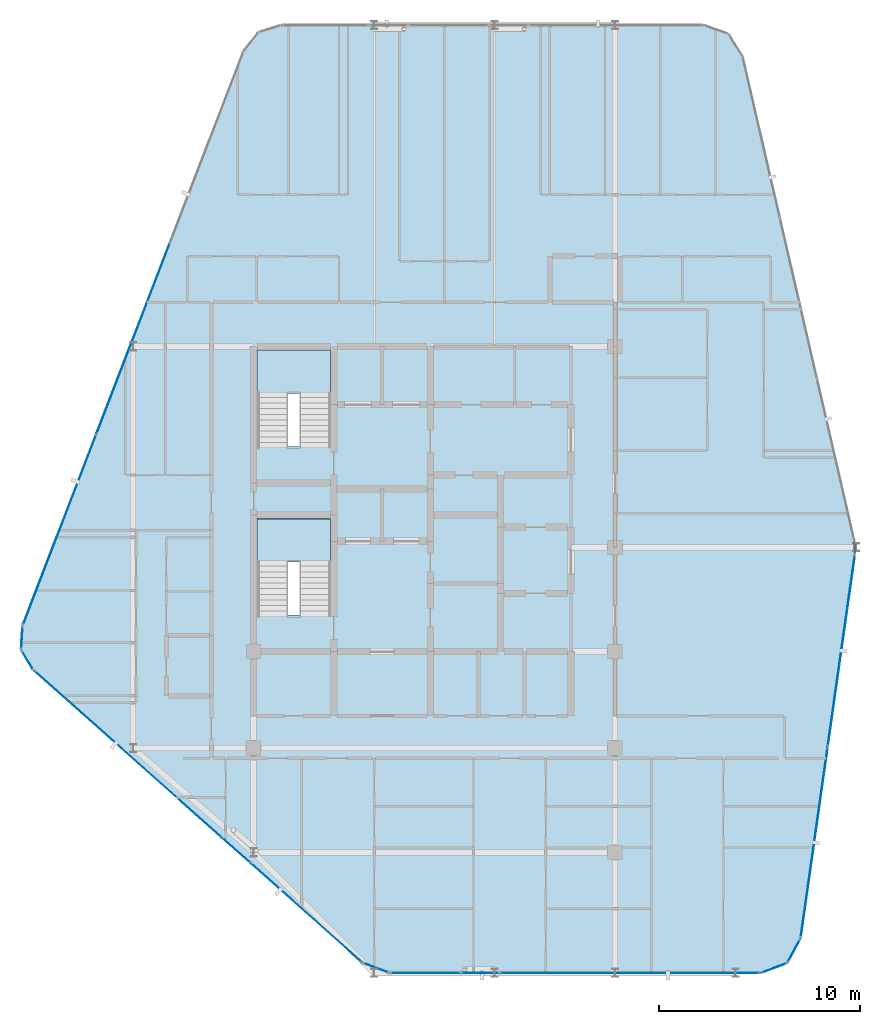
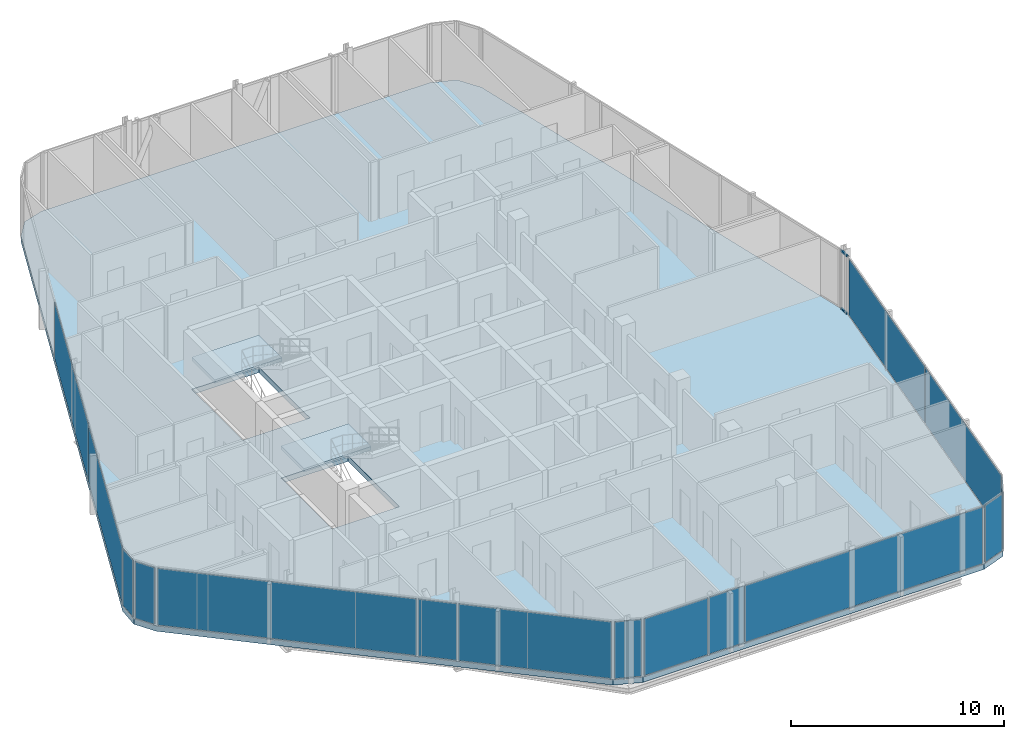
# One storey, part 20 of 28: 15 plates, 3 slabs, 2 members, 16 elements without a shape of their own.
"""IFC4 building model written with IfcOpenShell, lengths in metres."""

from ifc_helpers import new_model, si_unit, direction, frame, origin, origin_2d, place, context, subcontext, project, spatial, polyline, rectangle, hollow_rectangle, outline, extrude, material, layer, layer_set, material_profile, profile_set, type_object, element, aggregate, save


model = new_model("IFC4")

# Units and contexts
model_context = context("Model", 3, precision=1e-05, world=origin(), true_north=direction((0.0, 1.0)))
body_context = subcontext(model_context, "Body", "Model", "MODEL_VIEW")
ifc_project = project(units=[si_unit("LENGTHUNIT", "METRE"), si_unit("AREAUNIT", "SQUARE_METRE"), si_unit("VOLUMEUNIT", "CUBIC_METRE"), si_unit("PLANEANGLEUNIT", "RADIAN"), si_unit("MASSUNIT", "GRAM", prefix="KILO")], contexts=[model_context])

# Site, building, storey
site_placement = place(None, origin())
site = spatial("IfcSite", under=ifc_project, at=site_placement, CompositionType="ELEMENT")
building_placement = place(site_placement, origin())
building = spatial("IfcBuilding", under=site, at=building_placement, Name="Keshet Zoharim Tower", CompositionType="ELEMENT")
storey_placement = place(building_placement, frame((0.0, 0.0, 258.39990234375)))
storey = spatial("IfcBuildingStorey", under=building, at=storey_placement, Name="L64", CompositionType="ELEMENT", Elevation=258.39990234375)

# Curtain wall, members
ifc_material_1 = material(Name="Aluminium 6063-T6", Category="aluminium")
ifc_layer_1 = layer(ifc_material_1, 0.260009765625)
ifc_layer_set_1 = layer_set([ifc_layer_1], Name="Aluminium 6063-T6")
curtain_wall_type = type_object("IfcCurtainWallType", Name="CW-SYS-06", PredefinedType="NOTDEFINED", material=ifc_layer_set_1)
curtain_wall_1_placement = place(storey_placement, origin())
curtain_wall_1 = element("IfcCurtainWall", 1, at=curtain_wall_1_placement, inside=storey, type_object=curtain_wall_type, Name="L64 Unitised Curtain Wall 10", PredefinedType="NOTDEFINED")
ifc_material_profile = material_profile(ifc_material_1, hollow_rectangle(XDim=0.074951171875, YDim=0.1201171875, WallThickness=0.00390625, at=origin_2d()), Name="TRN-75x120")
ifc_profile_set = profile_set([ifc_material_profile], Name="Aluminium 6063-T6")
member_type = type_object("IfcMemberType", Name="CWT-T12", PredefinedType="USERDEFINED", material=ifc_profile_set)
member_1_placement = place(storey_placement, frame((44.9189453125, 28.192138671875, 0.03515625), z_axis=(0.043813905352, -0.99903970977, 0.0), x_axis=(0.99903970977, 0.043813905352, 0.0)))
member_1 = element("IfcMember", 2, at=member_1_placement, type_object=member_type, Name="CW-06 transom 1.1", ObjectType="TRANSOM", PredefinedType="USERDEFINED", context=body_context, shape_type="SweptSolid", body=[
    extrude(hollow_rectangle(XDim=0.074951171875, YDim=0.1201171875, WallThickness=0.00390625, at=origin_2d()), origin(), (0.0, 0.0, 1.0), 0.590576171875),
])
member_2_placement = place(storey_placement, frame((44.9189453125, 28.192138671875, 3.35498046875), z_axis=(0.043813905352, -0.99903970977, 0.0), x_axis=(0.99903970977, 0.043813905352, 0.0)))
member_2 = element("IfcMember", 3, at=member_2_placement, type_object=member_type, Name="CW-06 transom 1.2", ObjectType="TRANSOM", PredefinedType="USERDEFINED", context=body_context, shape_type="SweptSolid", body=[
    extrude(hollow_rectangle(XDim=0.074951171875, YDim=0.1201171875, WallThickness=0.00390625, at=origin_2d()), origin(), (0.0, 0.0, 1.0), 0.590576171875),
])
aggregate(curtain_wall_1, [member_1, member_2])

# Curtain wall, plate
curtain_wall_2_placement = place(storey_placement, origin())
curtain_wall_2 = element("IfcCurtainWall", 4, at=curtain_wall_2_placement, inside=storey, type_object=curtain_wall_type, Name="L64 Unitised Curtain Wall 01", PredefinedType="NOTDEFINED")
ifc_material_2 = material(Name="Insulated Low-E Clear Glass", Category="glass")
ifc_layer_2 = layer(ifc_material_2, 0.028076171875)
ifc_layer_set_2 = layer_set([ifc_layer_2], Name="Insulated Low-E Clear Glass")
plate_type_1 = type_object("IfcPlateType", Name="CWP-03", PredefinedType="CURTAIN_PANEL", material=ifc_layer_set_2)
plate_1_placement = place(storey_placement, frame((3.7275390625, 22.291015625, 0.070068359375), z_axis=(0.0, 0.0, 1.0), x_axis=(-0.515604947933, 0.856826433805, 0.0)))
plate_1 = element("IfcPlate", 5, at=plate_1_placement, type_object=plate_type_1, Name="CW-06 panel 1.1", PredefinedType="CURTAIN_PANEL", context=body_context, shape_type="SweptSolid", body=[
    extrude(rectangle(XDim=1.052734375, YDim=0.028076171875, at=origin_2d()), origin(), (0.0, 0.0, 1.0), 3.25),
])
aggregate(curtain_wall_2, [plate_1])

curtain_wall_3_placement = place(storey_placement, origin())
curtain_wall_3 = element("IfcCurtainWall", 6, at=curtain_wall_3_placement, inside=storey, type_object=curtain_wall_type, Name="L64 Unitised Curtain Wall 02", PredefinedType="NOTDEFINED")
plate_2_placement = place(storey_placement, frame((3.45849609375, 23.3974609375, 0.070068359375), z_axis=(0.0, 0.0, 1.0), x_axis=(0.064516859374, 0.997916617186, 0.0)))
plate_2 = element("IfcPlate", 7, at=plate_2_placement, type_object=plate_type_1, Name="CW-06 panel 1.1", PredefinedType="CURTAIN_PANEL", context=body_context, shape_type="SweptSolid", body=[
    extrude(rectangle(XDim=1.053466796875, YDim=0.028076171875, at=origin_2d()), origin(), (0.0, 0.0, 1.0), 3.25),
])
aggregate(curtain_wall_3, [plate_2])

# Curtain wall, plates
curtain_wall_4_placement = place(storey_placement, origin())
curtain_wall_4 = element("IfcCurtainWall", 8, at=curtain_wall_4_placement, inside=storey, type_object=curtain_wall_type, Name="L64 Unitised Curtain Wall 03", PredefinedType="NOTDEFINED")
plate_3_placement = place(storey_placement, frame((5.33837890625, 28.7802734375, 0.070068359375), z_axis=(0.0, 0.0, 1.0), x_axis=(0.358990003907, 0.933341404361, 0.0)))
plate_3 = element("IfcPlate", 9, at=plate_3_placement, type_object=plate_type_1, Name="CW-06 panel 1.1", PredefinedType="CURTAIN_PANEL", context=body_context, shape_type="SweptSolid", body=[
    extrude(rectangle(XDim=10.1181640625, YDim=0.028076171875, at=origin_2d()), origin(), (0.0, 0.0, 1.0), 3.25),
])
plate_4_placement = place(storey_placement, frame((9.001953125, 38.305419921875, 0.070068359375), z_axis=(0.0, 0.0, 1.0), x_axis=(0.358990003907, 0.933341404361, 0.0)))
plate_4 = element("IfcPlate", 10, at=plate_4_placement, type_object=plate_type_1, Name="CW-06 panel 2.1", PredefinedType="CURTAIN_PANEL", context=body_context, shape_type="SweptSolid", body=[
    extrude(rectangle(XDim=10.153076171875, YDim=0.028076171875, at=origin_2d()), origin(), (0.0, 0.0, 1.0), 3.25),
])
aggregate(curtain_wall_4, [plate_3, plate_4])

curtain_wall_5_placement = place(storey_placement, origin())
curtain_wall_5 = element("IfcCurtainWall", 11, at=curtain_wall_5_placement, inside=storey, type_object=curtain_wall_type, Name="L64 Unitised Curtain Wall 11", PredefinedType="NOTDEFINED")
plate_5_placement = place(storey_placement, frame((44.269287109375, 22.736572265625, 0.070068359375), z_axis=(0.0, 0.0, 1.0), x_axis=(-0.140137464177, -0.990132057422, 0.0)))
plate_5 = element("IfcPlate", 12, at=plate_5_placement, type_object=plate_type_1, Name="CW-06 panel 1.1", PredefinedType="CURTAIN_PANEL", context=body_context, shape_type="SweptSolid", body=[
    extrude(rectangle(XDim=9.546142578125, YDim=0.028076171875, at=origin_2d()), origin(), (0.0, 0.0, 1.0), 3.25),
])
plate_6_placement = place(storey_placement, frame((42.921630859375, 13.21533203125, 0.070068359375), z_axis=(0.0, 0.0, 1.0), x_axis=(-0.140137464177, -0.990132057422, 0.0)))
plate_6 = element("IfcPlate", 13, at=plate_6_placement, type_object=plate_type_1, Name="CW-06 panel 2.1", PredefinedType="CURTAIN_PANEL", context=body_context, shape_type="SweptSolid", body=[
    extrude(rectangle(XDim=9.546142578125, YDim=0.028076171875, at=origin_2d()), origin(), (0.0, 0.0, 1.0), 3.25),
])
aggregate(curtain_wall_5, [plate_5, plate_6])

# Curtain wall, plate
curtain_wall_6_placement = place(storey_placement, origin())
curtain_wall_6 = element("IfcCurtainWall", 14, at=curtain_wall_6_placement, inside=storey, type_object=curtain_wall_type, Name="L64 Unitised Curtain Wall 12", PredefinedType="NOTDEFINED")
plate_7_placement = place(storey_placement, frame((41.908447265625, 7.804931640625, 0.070068359375), z_axis=(0.0, 0.0, 1.0), x_axis=(-0.477800955789, -0.878468125004, 0.0)))
plate_7 = element("IfcPlate", 15, at=plate_7_placement, type_object=plate_type_1, Name="CW-06 panel 1.1", PredefinedType="CURTAIN_PANEL", context=body_context, shape_type="SweptSolid", body=[
    extrude(rectangle(XDim=1.26025390625, YDim=0.028076171875, at=origin_2d()), origin(), (0.0, 0.0, 1.0), 3.25),
])
aggregate(curtain_wall_6, [plate_7])

curtain_wall_7_placement = place(storey_placement, origin())
curtain_wall_7 = element("IfcCurtainWall", 16, at=curtain_wall_7_placement, inside=storey, type_object=curtain_wall_type, Name="L64 Unitised Curtain Wall 13", PredefinedType="NOTDEFINED")
plate_8_placement = place(storey_placement, frame((40.91845703125, 6.945068359375, 0.070068359375), z_axis=(0.0, 0.0, 1.0), x_axis=(-0.936710343781, -0.350105315376, 0.0)))
plate_8 = element("IfcPlate", 17, at=plate_8_placement, type_object=plate_type_1, Name="CW-06 panel 1.1", PredefinedType="CURTAIN_PANEL", context=body_context, shape_type="SweptSolid", body=[
    extrude(rectangle(XDim=1.259521484375, YDim=0.028076171875, at=origin_2d()), origin(), (0.0, 0.0, 1.0), 3.25),
])
aggregate(curtain_wall_7, [plate_8])

curtain_wall_8_placement = place(storey_placement, origin())
curtain_wall_8 = element("IfcCurtainWall", 18, at=curtain_wall_8_placement, inside=storey, type_object=curtain_wall_type, Name="L64 Unitised Curtain Wall 14", PredefinedType="NOTDEFINED")
plate_9_placement = place(storey_placement, frame((33.743896484375, 6.699951171875, 0.070068359375), z_axis=(0.0, 0.0, 1.0), x_axis=(-1.0, 0.0, 0.0)))
plate_9 = element("IfcPlate", 19, at=plate_9_placement, type_object=plate_type_1, Name="CW-06 panel 1.1", PredefinedType="CURTAIN_PANEL", context=body_context, shape_type="SweptSolid", body=[
    extrude(rectangle(XDim=12.898193359375, YDim=0.028076171875, at=origin_2d()), origin(), (0.0, 0.0, 1.0), 3.25),
])
aggregate(curtain_wall_8, [plate_9])

curtain_wall_9_placement = place(storey_placement, origin())
curtain_wall_9 = element("IfcCurtainWall", 20, at=curtain_wall_9_placement, inside=storey, type_object=curtain_wall_type, Name="L64 Unitised Curtain Wall 14 Part 3", PredefinedType="NOTDEFINED")
plate_10_placement = place(storey_placement, frame((23.552490234375, 6.699951171875, 0.070068359375), z_axis=(0.0, 0.0, 1.0), x_axis=(-1.0, 0.0, 0.0)))
plate_10 = element("IfcPlate", 21, at=plate_10_placement, type_object=plate_type_1, Name="CW-06 panel 1.1", PredefinedType="CURTAIN_PANEL", context=body_context, shape_type="SweptSolid", body=[
    extrude(rectangle(XDim=3.4453125, YDim=0.028076171875, at=origin_2d()), origin(), (0.0, 0.0, 1.0), 3.25),
])
aggregate(curtain_wall_9, [plate_10])

curtain_wall_10_placement = place(storey_placement, origin())
curtain_wall_10 = element("IfcCurtainWall", 22, at=curtain_wall_10_placement, inside=storey, type_object=curtain_wall_type, Name="L64 Unitised Curtain Wall 15", PredefinedType="NOTDEFINED")
plate_11_placement = place(storey_placement, frame((21.095947265625, 6.952392578125, 0.070068359375), z_axis=(0.0, 0.0, 1.0), x_axis=(-0.934699418314, 0.355439161326, 0.0)))
plate_11 = element("IfcPlate", 23, at=plate_11_placement, type_object=plate_type_1, Name="CW-06 panel 1.1", PredefinedType="CURTAIN_PANEL", context=body_context, shape_type="SweptSolid", body=[
    extrude(rectangle(XDim=1.28076171875, YDim=0.028076171875, at=origin_2d()), origin(), (0.0, 0.0, 1.0), 3.25),
])
aggregate(curtain_wall_10, [plate_11])

curtain_wall_11_placement = place(storey_placement, origin())
curtain_wall_11 = element("IfcCurtainWall", 24, at=curtain_wall_11_placement, inside=storey, type_object=curtain_wall_type, Name="L64 Unitised Curtain Wall 16", PredefinedType="NOTDEFINED")
plate_12_placement = place(storey_placement, frame((17.634521484375, 9.691650390625, 0.070068359375), z_axis=(0.0, 0.0, 1.0), x_axis=(-0.747410792699, 0.664362180559, 0.0)))
plate_12 = element("IfcPlate", 25, at=plate_12_placement, type_object=plate_type_1, Name="CW-06 panel 1.1", PredefinedType="CURTAIN_PANEL", context=body_context, shape_type="SweptSolid", body=[
    extrude(rectangle(XDim=7.345947265625, YDim=0.028076171875, at=origin_2d()), origin(), (0.0, 0.0, 1.0), 3.25),
])
aggregate(curtain_wall_11, [plate_12])

curtain_wall_12_placement = place(storey_placement, origin())
curtain_wall_12 = element("IfcCurtainWall", 26, at=curtain_wall_12_placement, inside=storey, type_object=curtain_wall_type, Name="L64 Unitised Curtain Wall 16 Part 3", PredefinedType="NOTDEFINED")
plate_13_placement = place(storey_placement, frame((8.7333984375, 17.603515625, 0.070068359375), z_axis=(0.0, 0.0, 1.0), x_axis=(-0.747409318679, 0.664363838836, 0.0)))
plate_13 = element("IfcPlate", 27, at=plate_13_placement, type_object=plate_type_1, Name="CW-06 panel 1.1", PredefinedType="CURTAIN_PANEL", context=body_context, shape_type="SweptSolid", body=[
    extrude(rectangle(XDim=12.432861328125, YDim=0.028076171875, at=origin_2d()), origin(), (0.0, 0.0, 1.0), 3.25),
])
aggregate(curtain_wall_12, [plate_13])

curtain_wall_13_placement = place(storey_placement, origin())
curtain_wall_13 = element("IfcCurtainWall", 28, at=curtain_wall_13_placement, inside=storey, type_object=curtain_wall_type, Name="L64 Unitised Curtain Wall 14 Part 2", PredefinedType="NOTDEFINED")
ifc_material_3 = material(Name="Insulated Aluminium Spandrel Panel", Category="aluminium")
ifc_layer_3 = layer(ifc_material_3, 0.028076171875)
ifc_layer_set_3 = layer_set([ifc_layer_3], Name="Insulated Aluminium Spandrel Panel")
plate_type_2 = type_object("IfcPlateType", Name="CWP-06", PredefinedType="CURTAIN_PANEL", material=ifc_layer_set_3)
plate_14_placement = place(storey_placement, frame((26.284912109375, 6.699951171875, 0.070068359375), z_axis=(0.0, 0.0, 1.0), x_axis=(-1.0, 0.0, 0.0)))
plate_14 = element("IfcPlate", 29, at=plate_14_placement, type_object=plate_type_2, Name="CW-06 spandrel panel 1.1", PredefinedType="CURTAIN_PANEL", context=body_context, shape_type="SweptSolid", body=[
    extrude(rectangle(XDim=1.879638671875, YDim=0.028076171875, at=origin_2d()), origin(), (0.0, 0.0, 1.0), 3.25),
])
aggregate(curtain_wall_13, [plate_14])

curtain_wall_14_placement = place(storey_placement, origin())
curtain_wall_14 = element("IfcCurtainWall", 30, at=curtain_wall_14_placement, inside=storey, type_object=curtain_wall_type, Name="L64 Unitised Curtain Wall 16 Part 2", PredefinedType="NOTDEFINED")
plate_15_placement = place(storey_placement, frame((14.134521484375, 12.802734375, 0.070068359375), z_axis=(0.0, 0.0, 1.0), x_axis=(-0.747431957629, 0.664338369143, 0.0)))
plate_15 = element("IfcPlate", 31, at=plate_15_placement, type_object=plate_type_2, Name="CW-06 spandrel panel 1.1", PredefinedType="CURTAIN_PANEL", context=body_context, shape_type="SweptSolid", body=[
    extrude(rectangle(XDim=1.879638671875, YDim=0.028076171875, at=origin_2d()), origin(), (0.0, 0.0, 1.0), 3.25),
])
aggregate(curtain_wall_14, [plate_15])

# Stair, slab
ifc_material_4 = material(Name="Concrete C50/60", Category="concrete")
stair_type = type_object("IfcStairType", Name="STR-EXIT-135", PredefinedType="HALF_TURN_STAIR", material=ifc_material_4)
stair_1_placement = place(storey_placement, origin())
stair_1 = element("IfcStair", 32, at=stair_1_placement, inside=storey, type_object=stair_type, Name="L64 Enclosed Exit Stair ST-01", PredefinedType="HALF_TURN_STAIR")
ifc_layer_4 = layer(ifc_material_4, 0.199951171875)
ifc_layer_set_4 = layer_set([ifc_layer_4], Name="Concrete C50/60")
slab_type_1 = type_object("IfcSlabType", Name="SLB-LND-200", PredefinedType="LANDING", material=ifc_layer_set_4)
slab_1_placement = place(storey_placement, frame((0.0, 0.0, 1.650146484375)))
slab_1 = element("IfcSlab", 33, at=slab_1_placement, type_object=slab_type_1, Name="ST-01 landing 1", PredefinedType="LANDING", context=body_context, shape_type="SweptSolid", body=[
    extrude(outline(polyline([(15.179931640625, 27.159912109375), (18.820068359375, 27.159912109375), (18.820068359375, 29.320068359375), (15.179931640625, 29.320068359375), (15.179931640625, 27.159912109375)])), origin(), (0.0, 0.0, 1.0), 0.199951171875),
])
aggregate(stair_1, [slab_1])

stair_2_placement = place(storey_placement, origin())
stair_2 = element("IfcStair", 34, at=stair_2_placement, inside=storey, type_object=stair_type, Name="L64 Enclosed Exit Stair ST-02", PredefinedType="HALF_TURN_STAIR")
slab_2_placement = place(storey_placement, frame((0.0, 0.0, 1.650146484375)))
slab_2 = element("IfcSlab", 35, at=slab_2_placement, type_object=slab_type_1, Name="ST-02 landing 1", PredefinedType="LANDING", context=body_context, shape_type="SweptSolid", body=[
    extrude(outline(polyline([(15.179931640625, 35.56005859375), (18.820068359375, 35.56005859375), (18.820068359375, 37.719970703125), (15.179931640625, 37.719970703125), (15.179931640625, 35.56005859375)])), origin(), (0.0, 0.0, 1.0), 0.199951171875),
])
aggregate(stair_2, [slab_2])

# Slab
ifc_layer_5 = layer(ifc_material_4, 0.31005859375)
ifc_layer_set_5 = layer_set([ifc_layer_5], Name="Concrete C50/60")
slab_type_2 = type_object("IfcSlabType", Name="SLB-UPP-240", PredefinedType="FLOOR", material=ifc_layer_set_5)
slab_3_placement = place(storey_placement, frame((0.0, 0.0, -0.309814453125)))
element("IfcSlab", 36, at=slab_3_placement, inside=storey, type_object=slab_type_2, Name="L64 Structural Floor Slab 1", PredefinedType="FLOOR", context=body_context, shape_type="SweptSolid", body=[
    extrude(outline(polyline([(4.034912109375, 21.780029296875), (3.419921875, 22.802001953125), (3.4970703125, 23.992919921875), (14.507080078125, 52.617919921875), (15.240966796875, 53.549072265625), (16.3740234375, 53.89990234375), (37.408935546875, 53.89990234375), (38.654052734375, 53.465087890625), (39.35791015625, 52.35009765625), (44.916015625, 28.261962890625), (44.947998046875, 27.531982421875), (42.242919921875, 8.419921875), (41.573974609375, 7.18994140625), (40.262939453125, 6.699951171875), (21.760009765625, 6.699951171875), (20.431884765625, 7.205078125), (4.034912109375, 21.780029296875)]), holes=[polyline([(15.179931640625, 24.52001953125), (18.820068359375, 24.52001953125), (18.820068359375, 29.320068359375), (15.179931640625, 29.320068359375), (15.179931640625, 24.52001953125)]), polyline([(15.179931640625, 32.919921875), (18.820068359375, 32.919921875), (18.820068359375, 37.719970703125), (15.179931640625, 37.719970703125), (15.179931640625, 32.919921875)])]), origin(), (0.0, 0.0, 1.0), 0.309814453125),
])

save(model, "model.ifc")
